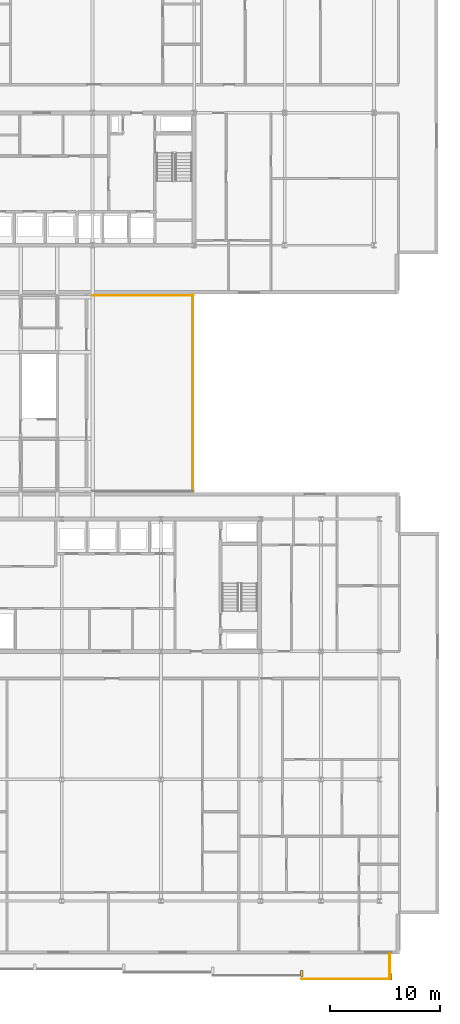
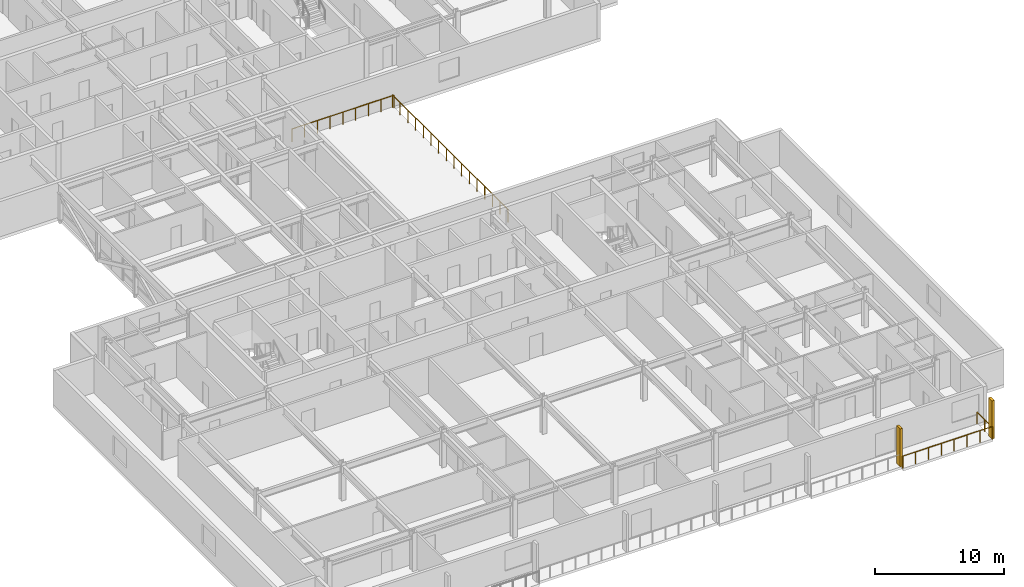
# One storey, part 26 of 28: 4 railings, 2 shading devices.
"""IFC4 building model written with IfcOpenShell, lengths in metres."""

from ifc_helpers import new_model, si_unit, direction, frame, origin, origin_2d, place, context, subcontext, project, spatial, rectangle, circle, extrude, material, type_object, element, save


model = new_model("IFC4")

# Units and contexts
model_context = context("Model", 3, precision=1e-05, world=origin(), true_north=direction((0.0, 1.0)))
body_context = subcontext(model_context, "Body", "Model", "MODEL_VIEW")
ifc_project = project(units=[si_unit("LENGTHUNIT", "METRE"), si_unit("AREAUNIT", "SQUARE_METRE"), si_unit("VOLUMEUNIT", "CUBIC_METRE"), si_unit("PLANEANGLEUNIT", "RADIAN"), si_unit("MASSUNIT", "GRAM", prefix="KILO")], contexts=[model_context])

# Site, building, storey
site_placement = place(None, origin())
site = spatial("IfcSite", under=ifc_project, at=site_placement, CompositionType="ELEMENT")
building_placement = place(site_placement, origin())
building = spatial("IfcBuilding", under=site, at=building_placement, Name="Korimba Cascade Residences", CompositionType="ELEMENT")
storey_placement = place(building_placement, frame((0.0, 0.0, 153.699951171875)))
storey = spatial("IfcBuildingStorey", under=building, at=storey_placement, Name="L44", CompositionType="ELEMENT", Elevation=153.699951171875)

# Railings
ifc_material_1 = material(Name="Laminated Glass and Bronze Balustrade", Category="glass")
railing_type_1 = type_object("IfcRailingType", Name="RLG-LOG-1150", PredefinedType="BALUSTRADE", material=ifc_material_1)
railing_1_placement = place(storey_placement, frame((121.843017578125, -11.27001953125, 0.0)))
element("IfcRailing", 1, at=railing_1_placement, inside=storey, type_object=railing_type_1, Name="L44 Perimeter Guardrail RLG-L44-T2-LOG-06", PredefinedType="BALUSTRADE", context=body_context, shape_type="SweptSolid", body=[
    extrude(circle(Radius=0.02392578125, at=origin_2d()), frame((0.0, 0.0, 1.1259765625), z_axis=(1.0, 0.0, 0.0), x_axis=(0.0, 1.0, 0.0)), (0.0, 0.0, 1.0), 8.056884765625),
    extrude(circle(Radius=0.02099609375, at=origin_2d()), origin(), (0.0, 0.0, 1.0), 1.101806640625),
    extrude(circle(Radius=0.02099609375, at=origin_2d()), frame((1.15087890625, 0.0, 0.0)), (0.0, 0.0, 1.0), 1.101806640625),
    extrude(circle(Radius=0.02099609375, at=origin_2d()), frame((2.302001953125, 0.0, 0.0)), (0.0, 0.0, 1.0), 1.101806640625),
    extrude(circle(Radius=0.02099609375, at=origin_2d()), frame((3.452880859375, 0.0, 0.0)), (0.0, 0.0, 1.0), 1.101806640625),
    extrude(circle(Radius=0.02099609375, at=origin_2d()), frame((4.60400390625, 0.0, 0.0)), (0.0, 0.0, 1.0), 1.101806640625),
    extrude(circle(Radius=0.02099609375, at=origin_2d()), frame((5.7548828125, 0.0, 0.0)), (0.0, 0.0, 1.0), 1.101806640625),
    extrude(circle(Radius=0.02099609375, at=origin_2d()), frame((6.906005859375, 0.0, 0.0)), (0.0, 0.0, 1.0), 1.101806640625),
    extrude(circle(Radius=0.02099609375, at=origin_2d()), frame((8.056884765625, 0.0, 0.0)), (0.0, 0.0, 1.0), 1.101806640625),
])
railing_2_placement = place(storey_placement, frame((129.820068359375, -11.35009765625, 0.0)))
element("IfcRailing", 2, at=railing_2_placement, inside=storey, type_object=railing_type_1, Name="L44 Perimeter Guardrail RLG-L44-T2-LOG-07", PredefinedType="BALUSTRADE", context=body_context, shape_type="SweptSolid", body=[
    extrude(circle(Radius=0.02392578125, at=origin_2d()), frame((0.0, 0.0, 1.1259765625), z_axis=(0.0, 1.0, 0.0), x_axis=(-1.0, 0.0, 0.0)), (0.0, 0.0, 1.0), 2.35009765625),
    extrude(circle(Radius=0.02099609375, at=origin_2d()), origin(), (0.0, 0.0, 1.0), 1.101806640625),
    extrude(circle(Radius=0.02099609375, at=origin_2d()), frame((0.0, 1.175048828125, 0.0)), (0.0, 0.0, 1.0), 1.101806640625),
    extrude(circle(Radius=0.02099609375, at=origin_2d()), frame((0.0, 2.35009765625, 0.0)), (0.0, 0.0, 1.0), 1.101806640625),
])
ifc_material_2 = material(Name="Structural Laminated Glass Sky-Pool Barrier", Category="glass")
railing_type_2 = type_object("IfcRailingType", Name="RLG-POOL-1200", PredefinedType="BALUSTRADE", material=ifc_material_2)
railing_3_placement = place(storey_placement, frame((111.9599609375, 32.860107421875, 0.0)))
element("IfcRailing", 3, at=railing_3_placement, inside=storey, type_object=railing_type_2, Name="L44 Perimeter Guardrail RLG-L44-POOL-02", PredefinedType="BALUSTRADE", context=body_context, shape_type="SweptSolid", body=[
    extrude(circle(Radius=0.02392578125, at=origin_2d()), frame((0.0, 0.0, 1.17578125), z_axis=(0.0, 1.0, 0.0), x_axis=(-1.0, 0.0, 0.0)), (0.0, 0.0, 1.0), 17.8798828125),
    extrude(circle(Radius=0.02099609375, at=origin_2d()), origin(), (0.0, 0.0, 1.0), 1.15185546875),
    extrude(circle(Radius=0.02099609375, at=origin_2d()), frame((0.0, 1.19189453125, 0.0)), (0.0, 0.0, 1.0), 1.15185546875),
    extrude(circle(Radius=0.02099609375, at=origin_2d()), frame((0.0, 2.384033203125, 0.0)), (0.0, 0.0, 1.0), 1.15185546875),
    extrude(circle(Radius=0.02099609375, at=origin_2d()), frame((0.0, 3.575927734375, 0.0)), (0.0, 0.0, 1.0), 1.15185546875),
    extrude(circle(Radius=0.02099609375, at=origin_2d()), frame((0.0, 4.76806640625, 0.0)), (0.0, 0.0, 1.0), 1.15185546875),
    extrude(circle(Radius=0.02099609375, at=origin_2d()), frame((0.0, 5.9599609375, 0.0)), (0.0, 0.0, 1.0), 1.15185546875),
    extrude(circle(Radius=0.02099609375, at=origin_2d()), frame((0.0, 7.15185546875, 0.0)), (0.0, 0.0, 1.0), 1.15185546875),
    extrude(circle(Radius=0.02099609375, at=origin_2d()), frame((0.0, 8.343994140625, 0.0)), (0.0, 0.0, 1.0), 1.15185546875),
    extrude(circle(Radius=0.02099609375, at=origin_2d()), frame((0.0, 9.535888671875, 0.0)), (0.0, 0.0, 1.0), 1.15185546875),
    extrude(circle(Radius=0.02099609375, at=origin_2d()), frame((0.0, 10.72802734375, 0.0)), (0.0, 0.0, 1.0), 1.15185546875),
    extrude(circle(Radius=0.02099609375, at=origin_2d()), frame((0.0, 11.919921875, 0.0)), (0.0, 0.0, 1.0), 1.15185546875),
    extrude(circle(Radius=0.02099609375, at=origin_2d()), frame((0.0, 13.11181640625, 0.0)), (0.0, 0.0, 1.0), 1.15185546875),
    extrude(circle(Radius=0.02099609375, at=origin_2d()), frame((0.0, 14.303955078125, 0.0)), (0.0, 0.0, 1.0), 1.15185546875),
    extrude(circle(Radius=0.02099609375, at=origin_2d()), frame((0.0, 15.495849609375, 0.0)), (0.0, 0.0, 1.0), 1.15185546875),
    extrude(circle(Radius=0.02099609375, at=origin_2d()), frame((0.0, 16.68798828125, 0.0)), (0.0, 0.0, 1.0), 1.15185546875),
    extrude(circle(Radius=0.02099609375, at=origin_2d()), frame((0.0, 17.8798828125, 0.0)), (0.0, 0.0, 1.0), 1.15185546875),
])
railing_4_placement = place(storey_placement, frame((112.0400390625, 50.659912109375, 0.0)))
element("IfcRailing", 4, at=railing_4_placement, inside=storey, type_object=railing_type_2, Name="L44 Perimeter Guardrail RLG-L44-POOL-03", PredefinedType="BALUSTRADE", context=body_context, shape_type="SweptSolid", body=[
    extrude(circle(Radius=0.02392578125, at=origin_2d()), frame((0.0, 0.0, 1.17578125), z_axis=(-1.0, 0.0, 0.0), x_axis=(0.0, -1.0, 0.0)), (0.0, 0.0, 1.0), 9.14013671875),
    extrude(circle(Radius=0.02099609375, at=origin_2d()), origin(), (0.0, 0.0, 1.0), 1.15185546875),
    extrude(circle(Radius=0.02099609375, at=origin_2d()), frame((-1.142578125, 0.0, 0.0)), (0.0, 0.0, 1.0), 1.15185546875),
    extrude(circle(Radius=0.02099609375, at=origin_2d()), frame((-2.28515625, 0.0, 0.0)), (0.0, 0.0, 1.0), 1.15185546875),
    extrude(circle(Radius=0.02099609375, at=origin_2d()), frame((-3.427490234375, 0.0, 0.0)), (0.0, 0.0, 1.0), 1.15185546875),
    extrude(circle(Radius=0.02099609375, at=origin_2d()), frame((-4.570068359375, 0.0, 0.0)), (0.0, 0.0, 1.0), 1.15185546875),
    extrude(circle(Radius=0.02099609375, at=origin_2d()), frame((-5.712646484375, 0.0, 0.0)), (0.0, 0.0, 1.0), 1.15185546875),
    extrude(circle(Radius=0.02099609375, at=origin_2d()), frame((-6.85498046875, 0.0, 0.0)), (0.0, 0.0, 1.0), 1.15185546875),
    extrude(circle(Radius=0.02099609375, at=origin_2d()), frame((-7.99755859375, 0.0, 0.0)), (0.0, 0.0, 1.0), 1.15185546875),
    extrude(circle(Radius=0.02099609375, at=origin_2d()), frame((-9.14013671875, 0.0, 0.0)), (0.0, 0.0, 1.0), 1.15185546875),
])

# Shading devices
ifc_material_3 = material(Name="Honed Sandstone Precast Fin", Category="masonry")
shading_device_type = type_object("IfcShadingDeviceType", Name="SHD-FIN-550", PredefinedType="USERDEFINED", material=ifc_material_3)
for number, where, z_axis, x_axis, name in (
    (5, (121.843017578125, -10.77490234375, 0.0), (0.0, 0.0, 1.0), (1.0, 0.0, 0.0), "L44 T2 Warm-Stone Loggia Fin 7"),
    (6, (129.89990234375, -11.074951171875, 0.0), (0.0, 0.0, 1.0), (1.0, 0.0, 0.0), "L44 T2 Warm-Stone Loggia Fin 8"),
):
    element("IfcShadingDevice", number, at=place(storey_placement, frame(where, z_axis=z_axis, x_axis=x_axis)), inside=storey, type_object=shading_device_type, Name=name, ObjectType="FIN", PredefinedType="USERDEFINED", context=body_context, shape_type="SweptSolid", body=[
        extrude(rectangle(XDim=0.219970703125, YDim=0.550048828125, at=origin_2d()), origin(), (0.0, 0.0, 1.0), 3.60009765625),
    ])

save(model, "model.ifc")
